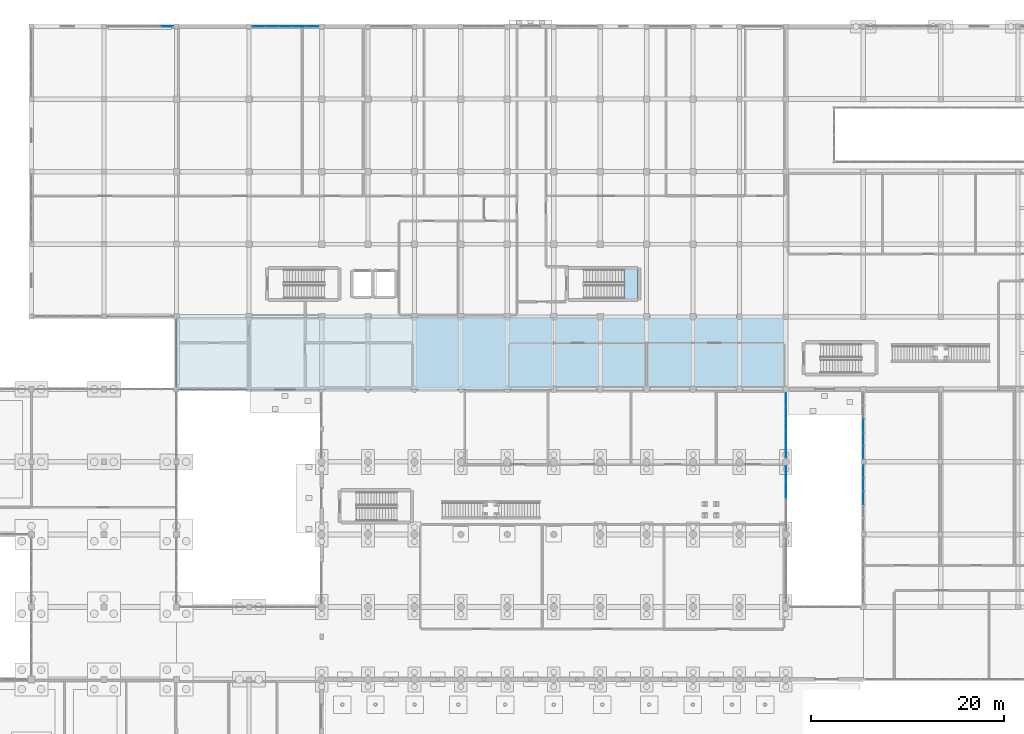
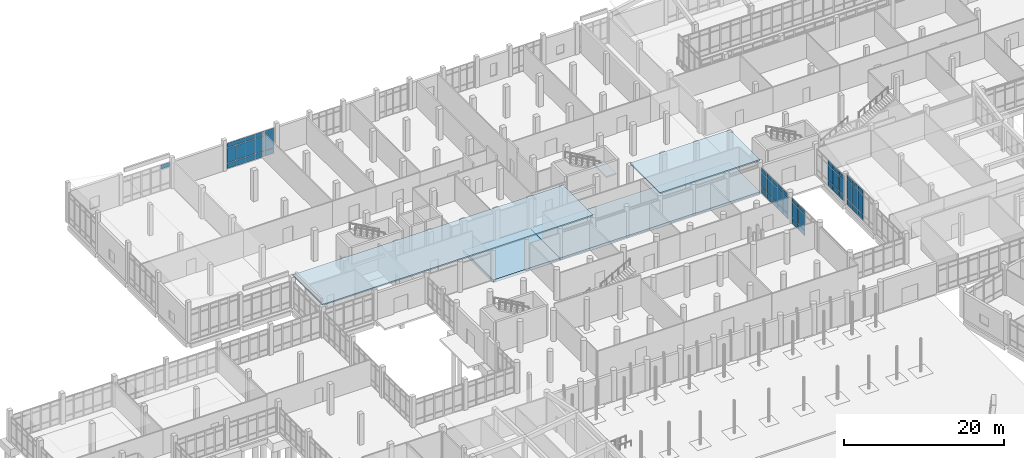
# One storey, part 137 of 173: 55 plates, 5 slabs, 7 elements without a shape of their own.
"""IFC4 building model written with IfcOpenShell, lengths in metres."""

from ifc_helpers import new_model, si_unit, direction, frame, origin, origin_2d, place, context, subcontext, project, spatial, polyline, rectangle, outline, extrude, material, layer, layer_set, type_object, element, aggregate, save


model = new_model("IFC4")

# Units and contexts
model_context = context("Model", 3, precision=1e-05, world=origin(), true_north=direction((0.0, 1.0)))
body_context = subcontext(model_context, "Body", "Model", "MODEL_VIEW")
ifc_project = project(units=[si_unit("LENGTHUNIT", "METRE"), si_unit("AREAUNIT", "SQUARE_METRE"), si_unit("VOLUMEUNIT", "CUBIC_METRE"), si_unit("PLANEANGLEUNIT", "RADIAN"), si_unit("MASSUNIT", "GRAM", prefix="KILO")], contexts=[model_context])

# Site, building, storey
site_placement = place(None, origin())
site = spatial("IfcSite", under=ifc_project, at=site_placement, CompositionType="ELEMENT")
building_placement = place(site_placement, origin())
building = spatial("IfcBuilding", under=site, at=building_placement, Name="Mawjan Specialist Oncology Clinic", CompositionType="ELEMENT")
storey_placement = place(building_placement, origin())
storey = spatial("IfcBuildingStorey", under=building, at=storey_placement, Name="L00", CompositionType="ELEMENT", Elevation=0.0)

# Curtain wall, plate
ifc_material_1 = material(Name="Unitised spectrally selective aluminium curtain wall", Category="aluminium")
ifc_layer_1 = layer(ifc_material_1, 0.179931640625, Name="Unitised spectrally selective aluminium curtain wall", Category="aluminium")
ifc_layer_set_1 = layer_set([ifc_layer_1], Name="Unitised spectrally selective aluminium curtain wall")
curtain_wall_type_1 = type_object("IfcCurtainWallType", Name="CW-12", PredefinedType="NOTDEFINED", material=ifc_layer_set_1)
curtain_wall_1_placement = place(storey_placement, origin())
curtain_wall_1 = element("IfcCurtainWall", 1, at=curtain_wall_1_placement, inside=storey, type_object=curtain_wall_type_1, Name="L00 Unitised Curtain Wall CW-L00-020", PredefinedType="NOTDEFINED")
ifc_material_2 = material(Name="Spectrally selective double low-E glazing", Category="glass")
ifc_layer_2 = layer(ifc_material_2, 0.035888671875, Name="Spectrally selective double low-E glazing", Category="glass")
ifc_layer_set_2 = layer_set([ifc_layer_2], Name="Spectrally selective double low-E glazing")
plate_type = type_object("IfcPlateType", Name="CW-P36", PredefinedType="CURTAIN_PANEL", material=ifc_layer_set_2)
plate_1_placement = place(storey_placement, frame((43.995361328125, 113.300048828125, 3.3173828125), z_axis=(0.0, 0.0, 1.0), x_axis=(1.0, 0.0, 0.0)))
plate_1 = element("IfcPlate", 2, at=plate_1_placement, type_object=plate_type, Name="CW-12 panel 5.3", PredefinedType="CURTAIN_PANEL", context=body_context, shape_type="SweptSolid", body=[
    extrude(rectangle(XDim=1.28955078125, YDim=0.035888671875, at=origin_2d()), origin(), (0.0, 0.0, 1.0), 0.652587890625),
])
aggregate(curtain_wall_1, [plate_1])

# Curtain wall, plates
ifc_material_3 = material(Name="Unitised spectrally selective aluminium curtain wall", Category="aluminium")
ifc_layer_3 = layer(ifc_material_3, 0.179931640625, Name="Unitised spectrally selective aluminium curtain wall", Category="aluminium")
ifc_layer_set_3 = layer_set([ifc_layer_3], Name="Unitised spectrally selective aluminium curtain wall")
curtain_wall_type_2 = type_object("IfcCurtainWallType", Name="CW-08", PredefinedType="NOTDEFINED", material=ifc_layer_set_3)
curtain_wall_2_placement = place(storey_placement, origin())
curtain_wall_2 = element("IfcCurtainWall", 3, at=curtain_wall_2_placement, inside=storey, type_object=curtain_wall_type_2, Name="L00 Unitised Curtain Wall CW-L00-021", PredefinedType="NOTDEFINED")
plate_2_placement = place(storey_placement, frame((53.502197265625, 113.300048828125, 0.06494140625), z_axis=(0.0, 0.0, 1.0), x_axis=(1.0, 0.0, 0.0)))
plate_2 = element("IfcPlate", 4, at=plate_2_placement, type_object=plate_type, Name="CW-08 panel 1.1", PredefinedType="CURTAIN_PANEL", context=body_context, shape_type="SweptSolid", body=[
    extrude(rectangle(XDim=1.284423828125, YDim=0.035888671875, at=origin_2d()), origin(), (0.0, 0.0, 1.0), 0.802490234375),
])
plate_3_placement = place(storey_placement, frame((53.502197265625, 113.300048828125, 0.932373046875), z_axis=(0.0, 0.0, 1.0), x_axis=(1.0, 0.0, 0.0)))
plate_3 = element("IfcPlate", 5, at=plate_3_placement, type_object=plate_type, Name="CW-08 panel 1.2", PredefinedType="CURTAIN_PANEL", context=body_context, shape_type="SweptSolid", body=[
    extrude(rectangle(XDim=1.284423828125, YDim=0.035888671875, at=origin_2d()), origin(), (0.0, 0.0, 1.0), 2.27001953125),
])
plate_4_placement = place(storey_placement, frame((53.502197265625, 113.300048828125, 3.267578125), z_axis=(0.0, 0.0, 1.0), x_axis=(1.0, 0.0, 0.0)))
plate_4 = element("IfcPlate", 6, at=plate_4_placement, type_object=plate_type, Name="CW-08 panel 1.3", PredefinedType="CURTAIN_PANEL", context=body_context, shape_type="SweptSolid", body=[
    extrude(rectangle(XDim=1.284423828125, YDim=0.035888671875, at=origin_2d()), origin(), (0.0, 0.0, 1.0), 0.652587890625),
])
plate_5_placement = place(storey_placement, frame((54.867919921875, 113.300048828125, 0.06494140625), z_axis=(0.0, 0.0, 1.0), x_axis=(1.0, 0.0, 0.0)))
plate_5 = element("IfcPlate", 7, at=plate_5_placement, type_object=plate_type, Name="CW-08 panel 2.1", PredefinedType="CURTAIN_PANEL", context=body_context, shape_type="SweptSolid", body=[
    extrude(rectangle(XDim=1.31689453125, YDim=0.035888671875, at=origin_2d()), origin(), (0.0, 0.0, 1.0), 0.802490234375),
])
plate_6_placement = place(storey_placement, frame((54.867919921875, 113.300048828125, 0.932373046875), z_axis=(0.0, 0.0, 1.0), x_axis=(1.0, 0.0, 0.0)))
plate_6 = element("IfcPlate", 8, at=plate_6_placement, type_object=plate_type, Name="CW-08 panel 2.2", PredefinedType="CURTAIN_PANEL", context=body_context, shape_type="SweptSolid", body=[
    extrude(rectangle(XDim=1.31689453125, YDim=0.035888671875, at=origin_2d()), origin(), (0.0, 0.0, 1.0), 2.27001953125),
])
plate_7_placement = place(storey_placement, frame((54.867919921875, 113.300048828125, 3.267578125), z_axis=(0.0, 0.0, 1.0), x_axis=(1.0, 0.0, 0.0)))
plate_7 = element("IfcPlate", 9, at=plate_7_placement, type_object=plate_type, Name="CW-08 panel 2.3", PredefinedType="CURTAIN_PANEL", context=body_context, shape_type="SweptSolid", body=[
    extrude(rectangle(XDim=1.31689453125, YDim=0.035888671875, at=origin_2d()), origin(), (0.0, 0.0, 1.0), 0.652587890625),
])
plate_8_placement = place(storey_placement, frame((56.25, 113.300048828125, 0.06494140625), z_axis=(0.0, 0.0, 1.0), x_axis=(1.0, 0.0, 0.0)))
plate_8 = element("IfcPlate", 10, at=plate_8_placement, type_object=plate_type, Name="CW-08 panel 3.1", PredefinedType="CURTAIN_PANEL", context=body_context, shape_type="SweptSolid", body=[
    extrude(rectangle(XDim=1.31689453125, YDim=0.035888671875, at=origin_2d()), origin(), (0.0, 0.0, 1.0), 0.802490234375),
])
plate_9_placement = place(storey_placement, frame((56.25, 113.300048828125, 0.932373046875), z_axis=(0.0, 0.0, 1.0), x_axis=(1.0, 0.0, 0.0)))
plate_9 = element("IfcPlate", 11, at=plate_9_placement, type_object=plate_type, Name="CW-08 panel 3.2", PredefinedType="CURTAIN_PANEL", context=body_context, shape_type="SweptSolid", body=[
    extrude(rectangle(XDim=1.31689453125, YDim=0.035888671875, at=origin_2d()), origin(), (0.0, 0.0, 1.0), 2.27001953125),
])
plate_10_placement = place(storey_placement, frame((56.25, 113.300048828125, 3.267578125), z_axis=(0.0, 0.0, 1.0), x_axis=(1.0, 0.0, 0.0)))
plate_10 = element("IfcPlate", 12, at=plate_10_placement, type_object=plate_type, Name="CW-08 panel 3.3", PredefinedType="CURTAIN_PANEL", context=body_context, shape_type="SweptSolid", body=[
    extrude(rectangle(XDim=1.31689453125, YDim=0.035888671875, at=origin_2d()), origin(), (0.0, 0.0, 1.0), 0.652587890625),
])
plate_11_placement = place(storey_placement, frame((57.632080078125, 113.300048828125, 0.06494140625), z_axis=(0.0, 0.0, 1.0), x_axis=(1.0, 0.0, 0.0)))
plate_11 = element("IfcPlate", 13, at=plate_11_placement, type_object=plate_type, Name="CW-08 panel 4.1", PredefinedType="CURTAIN_PANEL", context=body_context, shape_type="SweptSolid", body=[
    extrude(rectangle(XDim=1.31689453125, YDim=0.035888671875, at=origin_2d()), origin(), (0.0, 0.0, 1.0), 0.802490234375),
])
plate_12_placement = place(storey_placement, frame((57.632080078125, 113.300048828125, 0.932373046875), z_axis=(0.0, 0.0, 1.0), x_axis=(1.0, 0.0, 0.0)))
plate_12 = element("IfcPlate", 14, at=plate_12_placement, type_object=plate_type, Name="CW-08 panel 4.2", PredefinedType="CURTAIN_PANEL", context=body_context, shape_type="SweptSolid", body=[
    extrude(rectangle(XDim=1.31689453125, YDim=0.035888671875, at=origin_2d()), origin(), (0.0, 0.0, 1.0), 2.27001953125),
])
plate_13_placement = place(storey_placement, frame((57.632080078125, 113.300048828125, 3.267578125), z_axis=(0.0, 0.0, 1.0), x_axis=(1.0, 0.0, 0.0)))
plate_13 = element("IfcPlate", 15, at=plate_13_placement, type_object=plate_type, Name="CW-08 panel 4.3", PredefinedType="CURTAIN_PANEL", context=body_context, shape_type="SweptSolid", body=[
    extrude(rectangle(XDim=1.31689453125, YDim=0.035888671875, at=origin_2d()), origin(), (0.0, 0.0, 1.0), 0.652587890625),
])
plate_14_placement = place(storey_placement, frame((58.997802734375, 113.300048828125, 0.06494140625), z_axis=(0.0, 0.0, 1.0), x_axis=(1.0, 0.0, 0.0)))
plate_14 = element("IfcPlate", 16, at=plate_14_placement, type_object=plate_type, Name="CW-08 panel 5.1", PredefinedType="CURTAIN_PANEL", context=body_context, shape_type="SweptSolid", body=[
    extrude(rectangle(XDim=1.284423828125, YDim=0.035888671875, at=origin_2d()), origin(), (0.0, 0.0, 1.0), 0.802490234375),
])
plate_15_placement = place(storey_placement, frame((58.997802734375, 113.300048828125, 0.932373046875), z_axis=(0.0, 0.0, 1.0), x_axis=(1.0, 0.0, 0.0)))
plate_15 = element("IfcPlate", 17, at=plate_15_placement, type_object=plate_type, Name="CW-08 panel 5.2", PredefinedType="CURTAIN_PANEL", context=body_context, shape_type="SweptSolid", body=[
    extrude(rectangle(XDim=1.284423828125, YDim=0.035888671875, at=origin_2d()), origin(), (0.0, 0.0, 1.0), 2.27001953125),
])
plate_16_placement = place(storey_placement, frame((58.997802734375, 113.300048828125, 3.267578125), z_axis=(0.0, 0.0, 1.0), x_axis=(1.0, 0.0, 0.0)))
plate_16 = element("IfcPlate", 18, at=plate_16_placement, type_object=plate_type, Name="CW-08 panel 5.3", PredefinedType="CURTAIN_PANEL", context=body_context, shape_type="SweptSolid", body=[
    extrude(rectangle(XDim=1.284423828125, YDim=0.035888671875, at=origin_2d()), origin(), (0.0, 0.0, 1.0), 0.652587890625),
])
aggregate(curtain_wall_2, [plate_2, plate_3, plate_4, plate_5, plate_6, plate_7, plate_8, plate_9, plate_10, plate_11, plate_12, plate_13, plate_14, plate_15, plate_16])

ifc_material_4 = material(Name="Unitised spectrally selective aluminium curtain wall", Category="aluminium")
ifc_layer_4 = layer(ifc_material_4, 0.179931640625, Name="Unitised spectrally selective aluminium curtain wall", Category="aluminium")
ifc_layer_set_4 = layer_set([ifc_layer_4], Name="Unitised spectrally selective aluminium curtain wall")
curtain_wall_type_3 = type_object("IfcCurtainWallType", Name="CW-11", PredefinedType="NOTDEFINED", material=ifc_layer_set_4)
curtain_wall_3_placement = place(storey_placement, origin())
curtain_wall_3 = element("IfcCurtainWall", 19, at=curtain_wall_3_placement, inside=storey, type_object=curtain_wall_type_3, Name="L00 Unitised Curtain Wall CW-L00-065", PredefinedType="NOTDEFINED")
plate_17_placement = place(storey_placement, frame((116.0, 64.550048828125, 0.070068359375), z_axis=(0.0, 0.0, 1.0), x_axis=(0.0, 1.0, 0.0)))
plate_17 = element("IfcPlate", 20, at=plate_17_placement, type_object=plate_type, Name="CW-11 panel 3.1", PredefinedType="CURTAIN_PANEL", context=body_context, shape_type="SweptSolid", body=[
    extrude(rectangle(XDim=1.322021484375, YDim=0.035888671875, at=origin_2d()), origin(), (0.0, 0.0, 1.0), 0.794921875),
])
plate_18_placement = place(storey_placement, frame((116.0, 64.550048828125, 0.93505859375), z_axis=(0.0, 0.0, 1.0), x_axis=(0.0, 1.0, 0.0)))
plate_18 = element("IfcPlate", 21, at=plate_18_placement, type_object=plate_type, Name="CW-11 panel 3.2", PredefinedType="CURTAIN_PANEL", context=body_context, shape_type="SweptSolid", body=[
    extrude(rectangle(XDim=1.322021484375, YDim=0.035888671875, at=origin_2d()), origin(), (0.0, 0.0, 1.0), 2.949951171875),
])
plate_19_placement = place(storey_placement, frame((116.0, 64.550048828125, 3.955078125), z_axis=(0.0, 0.0, 1.0), x_axis=(0.0, 1.0, 0.0)))
plate_19 = element("IfcPlate", 22, at=plate_19_placement, type_object=plate_type, Name="CW-11 panel 3.3", PredefinedType="CURTAIN_PANEL", context=body_context, shape_type="SweptSolid", body=[
    extrude(rectangle(XDim=1.322021484375, YDim=0.035888671875, at=origin_2d()), origin(), (0.0, 0.0, 1.0), 0.64501953125),
])
plate_20_placement = place(storey_placement, frame((116.0, 65.94189453125, 0.070068359375), z_axis=(0.0, 0.0, 1.0), x_axis=(0.0, 1.0, 0.0)))
plate_20 = element("IfcPlate", 23, at=plate_20_placement, type_object=plate_type, Name="CW-11 panel 4.1", PredefinedType="CURTAIN_PANEL", context=body_context, shape_type="SweptSolid", body=[
    extrude(rectangle(XDim=1.322021484375, YDim=0.035888671875, at=origin_2d()), origin(), (0.0, 0.0, 1.0), 0.794921875),
])
plate_21_placement = place(storey_placement, frame((116.0, 65.94189453125, 0.93505859375), z_axis=(0.0, 0.0, 1.0), x_axis=(0.0, 1.0, 0.0)))
plate_21 = element("IfcPlate", 24, at=plate_21_placement, type_object=plate_type, Name="CW-11 panel 4.2", PredefinedType="CURTAIN_PANEL", context=body_context, shape_type="SweptSolid", body=[
    extrude(rectangle(XDim=1.322021484375, YDim=0.035888671875, at=origin_2d()), origin(), (0.0, 0.0, 1.0), 2.949951171875),
])
plate_22_placement = place(storey_placement, frame((116.0, 65.94189453125, 3.955078125), z_axis=(0.0, 0.0, 1.0), x_axis=(0.0, 1.0, 0.0)))
plate_22 = element("IfcPlate", 25, at=plate_22_placement, type_object=plate_type, Name="CW-11 panel 4.3", PredefinedType="CURTAIN_PANEL", context=body_context, shape_type="SweptSolid", body=[
    extrude(rectangle(XDim=1.322021484375, YDim=0.035888671875, at=origin_2d()), origin(), (0.0, 0.0, 1.0), 0.64501953125),
])
plate_23_placement = place(storey_placement, frame((116.0, 67.31640625, 0.070068359375), z_axis=(0.0, 0.0, 1.0), x_axis=(0.0, 1.0, 0.0)))
plate_23 = element("IfcPlate", 26, at=plate_23_placement, type_object=plate_type, Name="CW-11 panel 5.1", PredefinedType="CURTAIN_PANEL", context=body_context, shape_type="SweptSolid", body=[
    extrude(rectangle(XDim=1.287109375, YDim=0.035888671875, at=origin_2d()), origin(), (0.0, 0.0, 1.0), 0.794921875),
])
plate_24_placement = place(storey_placement, frame((116.0, 67.31640625, 0.93505859375), z_axis=(0.0, 0.0, 1.0), x_axis=(0.0, 1.0, 0.0)))
plate_24 = element("IfcPlate", 27, at=plate_24_placement, type_object=plate_type, Name="CW-11 panel 5.2", PredefinedType="CURTAIN_PANEL", context=body_context, shape_type="SweptSolid", body=[
    extrude(rectangle(XDim=1.287109375, YDim=0.035888671875, at=origin_2d()), origin(), (0.0, 0.0, 1.0), 2.949951171875),
])
plate_25_placement = place(storey_placement, frame((116.0, 67.31640625, 3.955078125), z_axis=(0.0, 0.0, 1.0), x_axis=(0.0, 1.0, 0.0)))
plate_25 = element("IfcPlate", 28, at=plate_25_placement, type_object=plate_type, Name="CW-11 panel 5.3", PredefinedType="CURTAIN_PANEL", context=body_context, shape_type="SweptSolid", body=[
    extrude(rectangle(XDim=1.287109375, YDim=0.035888671875, at=origin_2d()), origin(), (0.0, 0.0, 1.0), 0.64501953125),
])
aggregate(curtain_wall_3, [plate_17, plate_18, plate_19, plate_20, plate_21, plate_22, plate_23, plate_24, plate_25])

ifc_material_5 = material(Name="Unitised spectrally selective aluminium curtain wall", Category="aluminium")
ifc_layer_5 = layer(ifc_material_5, 0.179931640625, Name="Unitised spectrally selective aluminium curtain wall", Category="aluminium")
ifc_layer_set_5 = layer_set([ifc_layer_5], Name="Unitised spectrally selective aluminium curtain wall")
curtain_wall_type_4 = type_object("IfcCurtainWallType", Name="CW-30", PredefinedType="NOTDEFINED", material=ifc_layer_set_5)
curtain_wall_4_placement = place(storey_placement, origin())
curtain_wall_4 = element("IfcCurtainWall", 29, at=curtain_wall_4_placement, inside=storey, type_object=curtain_wall_type_4, Name="L00 Unitised Curtain Wall CW-L00-066", PredefinedType="NOTDEFINED")
plate_26_placement = place(storey_placement, frame((116.0, 69.27978515625, 0.06494140625), z_axis=(0.0, 0.0, 1.0), x_axis=(0.0, 1.0, 0.0)))
plate_26 = element("IfcPlate", 30, at=plate_26_placement, type_object=plate_type, Name="CW-30 panel 1.1", PredefinedType="CURTAIN_PANEL", context=body_context, shape_type="SweptSolid", body=[
    extrude(rectangle(XDim=1.28955078125, YDim=0.035888671875, at=origin_2d()), origin(), (0.0, 0.0, 1.0), 0.802490234375),
])
plate_27_placement = place(storey_placement, frame((116.0, 69.27978515625, 0.932373046875), z_axis=(0.0, 0.0, 1.0), x_axis=(0.0, 1.0, 0.0)))
plate_27 = element("IfcPlate", 31, at=plate_27_placement, type_object=plate_type, Name="CW-30 panel 1.2", PredefinedType="CURTAIN_PANEL", context=body_context, shape_type="SweptSolid", body=[
    extrude(rectangle(XDim=1.28955078125, YDim=0.035888671875, at=origin_2d()), origin(), (0.0, 0.0, 1.0), 2.27001953125),
])
plate_28_placement = place(storey_placement, frame((116.0, 69.27978515625, 3.267578125), z_axis=(0.0, 0.0, 1.0), x_axis=(0.0, 1.0, 0.0)))
plate_28 = element("IfcPlate", 32, at=plate_28_placement, type_object=plate_type, Name="CW-30 panel 1.3", PredefinedType="CURTAIN_PANEL", context=body_context, shape_type="SweptSolid", body=[
    extrude(rectangle(XDim=1.28955078125, YDim=0.035888671875, at=origin_2d()), origin(), (0.0, 0.0, 1.0), 0.652587890625),
])
plate_29_placement = place(storey_placement, frame((116.0, 70.650390625, 0.06494140625), z_axis=(0.0, 0.0, 1.0), x_axis=(0.0, 1.0, 0.0)))
plate_29 = element("IfcPlate", 33, at=plate_29_placement, type_object=plate_type, Name="CW-30 panel 2.1", PredefinedType="CURTAIN_PANEL", context=body_context, shape_type="SweptSolid", body=[
    extrude(rectangle(XDim=1.322021484375, YDim=0.035888671875, at=origin_2d()), origin(), (0.0, 0.0, 1.0), 0.802490234375),
])
plate_30_placement = place(storey_placement, frame((116.0, 70.650390625, 0.932373046875), z_axis=(0.0, 0.0, 1.0), x_axis=(0.0, 1.0, 0.0)))
plate_30 = element("IfcPlate", 34, at=plate_30_placement, type_object=plate_type, Name="CW-30 panel 2.2", PredefinedType="CURTAIN_PANEL", context=body_context, shape_type="SweptSolid", body=[
    extrude(rectangle(XDim=1.322021484375, YDim=0.035888671875, at=origin_2d()), origin(), (0.0, 0.0, 1.0), 2.27001953125),
])
plate_31_placement = place(storey_placement, frame((116.0, 70.650390625, 3.267578125), z_axis=(0.0, 0.0, 1.0), x_axis=(0.0, 1.0, 0.0)))
plate_31 = element("IfcPlate", 35, at=plate_31_placement, type_object=plate_type, Name="CW-30 panel 2.3", PredefinedType="CURTAIN_PANEL", context=body_context, shape_type="SweptSolid", body=[
    extrude(rectangle(XDim=1.322021484375, YDim=0.035888671875, at=origin_2d()), origin(), (0.0, 0.0, 1.0), 0.652587890625),
])
plate_32_placement = place(storey_placement, frame((116.0, 72.03759765625, 0.06494140625), z_axis=(0.0, 0.0, 1.0), x_axis=(0.0, 1.0, 0.0)))
plate_32 = element("IfcPlate", 36, at=plate_32_placement, type_object=plate_type, Name="CW-30 panel 3.1", PredefinedType="CURTAIN_PANEL", context=body_context, shape_type="SweptSolid", body=[
    extrude(rectangle(XDim=1.322021484375, YDim=0.035888671875, at=origin_2d()), origin(), (0.0, 0.0, 1.0), 0.802490234375),
])
plate_33_placement = place(storey_placement, frame((116.0, 72.03759765625, 0.932373046875), z_axis=(0.0, 0.0, 1.0), x_axis=(0.0, 1.0, 0.0)))
plate_33 = element("IfcPlate", 37, at=plate_33_placement, type_object=plate_type, Name="CW-30 panel 3.2", PredefinedType="CURTAIN_PANEL", context=body_context, shape_type="SweptSolid", body=[
    extrude(rectangle(XDim=1.322021484375, YDim=0.035888671875, at=origin_2d()), origin(), (0.0, 0.0, 1.0), 2.27001953125),
])
plate_34_placement = place(storey_placement, frame((116.0, 72.03759765625, 3.267578125), z_axis=(0.0, 0.0, 1.0), x_axis=(0.0, 1.0, 0.0)))
plate_34 = element("IfcPlate", 38, at=plate_34_placement, type_object=plate_type, Name="CW-30 panel 3.3", PredefinedType="CURTAIN_PANEL", context=body_context, shape_type="SweptSolid", body=[
    extrude(rectangle(XDim=1.322021484375, YDim=0.035888671875, at=origin_2d()), origin(), (0.0, 0.0, 1.0), 0.652587890625),
])
aggregate(curtain_wall_4, [plate_26, plate_27, plate_28, plate_29, plate_30, plate_31, plate_32, plate_33, plate_34])

ifc_material_6 = material(Name="Unitised spectrally selective aluminium curtain wall", Category="aluminium")
ifc_layer_6 = layer(ifc_material_6, 0.179931640625, Name="Unitised spectrally selective aluminium curtain wall", Category="aluminium")
ifc_layer_set_6 = layer_set([ifc_layer_6], Name="Unitised spectrally selective aluminium curtain wall")
curtain_wall_type_5 = type_object("IfcCurtainWallType", Name="CW-28", PredefinedType="NOTDEFINED", material=ifc_layer_set_6)
curtain_wall_5_placement = place(storey_placement, origin())
curtain_wall_5 = element("IfcCurtainWall", 39, at=curtain_wall_5_placement, inside=storey, type_object=curtain_wall_type_5, Name="L00 Unitised Curtain Wall CW-L00-067", PredefinedType="NOTDEFINED")
plate_35_placement = place(storey_placement, frame((108.0, 74.7626953125, 0.06494140625), z_axis=(0.0, 0.0, 1.0), x_axis=(0.0, -1.0, 0.0)))
plate_35 = element("IfcPlate", 40, at=plate_35_placement, type_object=plate_type, Name="CW-28 panel 1.1", PredefinedType="CURTAIN_PANEL", context=body_context, shape_type="SweptSolid", body=[
    extrude(rectangle(XDim=1.25439453125, YDim=0.035888671875, at=origin_2d()), origin(), (0.0, 0.0, 1.0), 0.802490234375),
])
plate_36_placement = place(storey_placement, frame((108.0, 74.7626953125, 0.932373046875), z_axis=(0.0, 0.0, 1.0), x_axis=(0.0, -1.0, 0.0)))
plate_36 = element("IfcPlate", 41, at=plate_36_placement, type_object=plate_type, Name="CW-28 panel 1.2", PredefinedType="CURTAIN_PANEL", context=body_context, shape_type="SweptSolid", body=[
    extrude(rectangle(XDim=1.25439453125, YDim=0.035888671875, at=origin_2d()), origin(), (0.0, 0.0, 1.0), 2.27001953125),
])
plate_37_placement = place(storey_placement, frame((108.0, 74.7626953125, 3.267578125), z_axis=(0.0, 0.0, 1.0), x_axis=(0.0, -1.0, 0.0)))
plate_37 = element("IfcPlate", 42, at=plate_37_placement, type_object=plate_type, Name="CW-28 panel 1.3", PredefinedType="CURTAIN_PANEL", context=body_context, shape_type="SweptSolid", body=[
    extrude(rectangle(XDim=1.25439453125, YDim=0.035888671875, at=origin_2d()), origin(), (0.0, 0.0, 1.0), 0.652587890625),
])
plate_38_placement = place(storey_placement, frame((108.0, 73.427001953125, 0.06494140625), z_axis=(0.0, 0.0, 1.0), x_axis=(0.0, -1.0, 0.0)))
plate_38 = element("IfcPlate", 43, at=plate_38_placement, type_object=plate_type, Name="CW-28 panel 2.1", PredefinedType="CURTAIN_PANEL", context=body_context, shape_type="SweptSolid", body=[
    extrude(rectangle(XDim=1.287109375, YDim=0.035888671875, at=origin_2d()), origin(), (0.0, 0.0, 1.0), 0.802490234375),
])
plate_39_placement = place(storey_placement, frame((108.0, 73.427001953125, 0.932373046875), z_axis=(0.0, 0.0, 1.0), x_axis=(0.0, -1.0, 0.0)))
plate_39 = element("IfcPlate", 44, at=plate_39_placement, type_object=plate_type, Name="CW-28 panel 2.2", PredefinedType="CURTAIN_PANEL", context=body_context, shape_type="SweptSolid", body=[
    extrude(rectangle(XDim=1.287109375, YDim=0.035888671875, at=origin_2d()), origin(), (0.0, 0.0, 1.0), 2.27001953125),
])
plate_40_placement = place(storey_placement, frame((108.0, 73.427001953125, 3.267578125), z_axis=(0.0, 0.0, 1.0), x_axis=(0.0, -1.0, 0.0)))
plate_40 = element("IfcPlate", 45, at=plate_40_placement, type_object=plate_type, Name="CW-28 panel 2.3", PredefinedType="CURTAIN_PANEL", context=body_context, shape_type="SweptSolid", body=[
    extrude(rectangle(XDim=1.287109375, YDim=0.035888671875, at=origin_2d()), origin(), (0.0, 0.0, 1.0), 0.652587890625),
])
plate_41_placement = place(storey_placement, frame((108.0, 72.074951171875, 0.06494140625), z_axis=(0.0, 0.0, 1.0), x_axis=(0.0, -1.0, 0.0)))
plate_41 = element("IfcPlate", 46, at=plate_41_placement, type_object=plate_type, Name="CW-28 panel 3.1", PredefinedType="CURTAIN_PANEL", context=body_context, shape_type="SweptSolid", body=[
    extrude(rectangle(XDim=1.287109375, YDim=0.035888671875, at=origin_2d()), origin(), (0.0, 0.0, 1.0), 0.802490234375),
])
plate_42_placement = place(storey_placement, frame((108.0, 72.074951171875, 0.932373046875), z_axis=(0.0, 0.0, 1.0), x_axis=(0.0, -1.0, 0.0)))
plate_42 = element("IfcPlate", 47, at=plate_42_placement, type_object=plate_type, Name="CW-28 panel 3.2", PredefinedType="CURTAIN_PANEL", context=body_context, shape_type="SweptSolid", body=[
    extrude(rectangle(XDim=1.287109375, YDim=0.035888671875, at=origin_2d()), origin(), (0.0, 0.0, 1.0), 2.27001953125),
])
plate_43_placement = place(storey_placement, frame((108.0, 72.074951171875, 3.267578125), z_axis=(0.0, 0.0, 1.0), x_axis=(0.0, -1.0, 0.0)))
plate_43 = element("IfcPlate", 48, at=plate_43_placement, type_object=plate_type, Name="CW-28 panel 3.3", PredefinedType="CURTAIN_PANEL", context=body_context, shape_type="SweptSolid", body=[
    extrude(rectangle(XDim=1.287109375, YDim=0.035888671875, at=origin_2d()), origin(), (0.0, 0.0, 1.0), 0.652587890625),
])
plate_44_placement = place(storey_placement, frame((108.0, 70.722900390625, 0.06494140625), z_axis=(0.0, 0.0, 1.0), x_axis=(0.0, -1.0, 0.0)))
plate_44 = element("IfcPlate", 49, at=plate_44_placement, type_object=plate_type, Name="CW-28 panel 4.1", PredefinedType="CURTAIN_PANEL", context=body_context, shape_type="SweptSolid", body=[
    extrude(rectangle(XDim=1.287109375, YDim=0.035888671875, at=origin_2d()), origin(), (0.0, 0.0, 1.0), 0.802490234375),
])
plate_45_placement = place(storey_placement, frame((108.0, 70.722900390625, 0.932373046875), z_axis=(0.0, 0.0, 1.0), x_axis=(0.0, -1.0, 0.0)))
plate_45 = element("IfcPlate", 50, at=plate_45_placement, type_object=plate_type, Name="CW-28 panel 4.2", PredefinedType="CURTAIN_PANEL", context=body_context, shape_type="SweptSolid", body=[
    extrude(rectangle(XDim=1.287109375, YDim=0.035888671875, at=origin_2d()), origin(), (0.0, 0.0, 1.0), 2.27001953125),
])
plate_46_placement = place(storey_placement, frame((108.0, 70.722900390625, 3.267578125), z_axis=(0.0, 0.0, 1.0), x_axis=(0.0, -1.0, 0.0)))
plate_46 = element("IfcPlate", 51, at=plate_46_placement, type_object=plate_type, Name="CW-28 panel 4.3", PredefinedType="CURTAIN_PANEL", context=body_context, shape_type="SweptSolid", body=[
    extrude(rectangle(XDim=1.287109375, YDim=0.035888671875, at=origin_2d()), origin(), (0.0, 0.0, 1.0), 0.652587890625),
])
plate_47_placement = place(storey_placement, frame((108.0, 69.38720703125, 0.06494140625), z_axis=(0.0, 0.0, 1.0), x_axis=(0.0, -1.0, 0.0)))
plate_47 = element("IfcPlate", 52, at=plate_47_placement, type_object=plate_type, Name="CW-28 panel 5.1", PredefinedType="CURTAIN_PANEL", context=body_context, shape_type="SweptSolid", body=[
    extrude(rectangle(XDim=1.25439453125, YDim=0.035888671875, at=origin_2d()), origin(), (0.0, 0.0, 1.0), 0.802490234375),
])
plate_48_placement = place(storey_placement, frame((108.0, 69.38720703125, 0.932373046875), z_axis=(0.0, 0.0, 1.0), x_axis=(0.0, -1.0, 0.0)))
plate_48 = element("IfcPlate", 53, at=plate_48_placement, type_object=plate_type, Name="CW-28 panel 5.2", PredefinedType="CURTAIN_PANEL", context=body_context, shape_type="SweptSolid", body=[
    extrude(rectangle(XDim=1.25439453125, YDim=0.035888671875, at=origin_2d()), origin(), (0.0, 0.0, 1.0), 2.27001953125),
])
plate_49_placement = place(storey_placement, frame((108.0, 69.38720703125, 3.267578125), z_axis=(0.0, 0.0, 1.0), x_axis=(0.0, -1.0, 0.0)))
plate_49 = element("IfcPlate", 54, at=plate_49_placement, type_object=plate_type, Name="CW-28 panel 5.3", PredefinedType="CURTAIN_PANEL", context=body_context, shape_type="SweptSolid", body=[
    extrude(rectangle(XDim=1.25439453125, YDim=0.035888671875, at=origin_2d()), origin(), (0.0, 0.0, 1.0), 0.652587890625),
])
aggregate(curtain_wall_5, [plate_35, plate_36, plate_37, plate_38, plate_39, plate_40, plate_41, plate_42, plate_43, plate_44, plate_45, plate_46, plate_47, plate_48, plate_49])

ifc_material_7 = material(Name="Unitised spectrally selective aluminium curtain wall", Category="aluminium")
ifc_layer_7 = layer(ifc_material_7, 0.179931640625, Name="Unitised spectrally selective aluminium curtain wall", Category="aluminium")
ifc_layer_set_7 = layer_set([ifc_layer_7], Name="Unitised spectrally selective aluminium curtain wall")
curtain_wall_type_6 = type_object("IfcCurtainWallType", Name="CW-02", PredefinedType="NOTDEFINED", material=ifc_layer_set_7)
curtain_wall_6_placement = place(storey_placement, origin())
curtain_wall_6 = element("IfcCurtainWall", 55, at=curtain_wall_6_placement, inside=storey, type_object=curtain_wall_type_6, Name="L00 Unitised Curtain Wall CW-L00-068", PredefinedType="NOTDEFINED")
plate_50_placement = place(storey_placement, frame((108.0, 67.050048828125, 0.06494140625), z_axis=(0.0, 0.0, 1.0), x_axis=(0.0, -1.0, 0.0)))
plate_50 = element("IfcPlate", 56, at=plate_50_placement, type_object=plate_type, Name="CW-02 panel 1.1", PredefinedType="CURTAIN_PANEL", context=body_context, shape_type="SweptSolid", body=[
    extrude(rectangle(XDim=1.580078125, YDim=0.035888671875, at=origin_2d()), origin(), (0.0, 0.0, 1.0), 0.802490234375),
])
plate_51_placement = place(storey_placement, frame((108.0, 67.050048828125, 0.9326171875), z_axis=(0.0, 0.0, 1.0), x_axis=(0.0, -1.0, 0.0)))
plate_51 = element("IfcPlate", 57, at=plate_51_placement, type_object=plate_type, Name="CW-02 panel 1.2", PredefinedType="CURTAIN_PANEL", context=body_context, shape_type="SweptSolid", body=[
    extrude(rectangle(XDim=1.580078125, YDim=0.035888671875, at=origin_2d()), origin(), (0.0, 0.0, 1.0), 2.320068359375),
])
plate_52_placement = place(storey_placement, frame((108.0, 67.050048828125, 3.3173828125), z_axis=(0.0, 0.0, 1.0), x_axis=(0.0, -1.0, 0.0)))
plate_52 = element("IfcPlate", 58, at=plate_52_placement, type_object=plate_type, Name="CW-02 panel 1.3", PredefinedType="CURTAIN_PANEL", context=body_context, shape_type="SweptSolid", body=[
    extrude(rectangle(XDim=1.580078125, YDim=0.035888671875, at=origin_2d()), origin(), (0.0, 0.0, 1.0), 0.652587890625),
])
plate_53_placement = place(storey_placement, frame((108.0, 65.388671875, 0.06494140625), z_axis=(0.0, 0.0, 1.0), x_axis=(0.0, -1.0, 0.0)))
plate_53 = element("IfcPlate", 59, at=plate_53_placement, type_object=plate_type, Name="CW-02 panel 2.1", PredefinedType="CURTAIN_PANEL", context=body_context, shape_type="SweptSolid", body=[
    extrude(rectangle(XDim=1.612548828125, YDim=0.035888671875, at=origin_2d()), origin(), (0.0, 0.0, 1.0), 0.802490234375),
])
plate_54_placement = place(storey_placement, frame((108.0, 65.388671875, 0.9326171875), z_axis=(0.0, 0.0, 1.0), x_axis=(0.0, -1.0, 0.0)))
plate_54 = element("IfcPlate", 60, at=plate_54_placement, type_object=plate_type, Name="CW-02 panel 2.2", PredefinedType="CURTAIN_PANEL", context=body_context, shape_type="SweptSolid", body=[
    extrude(rectangle(XDim=1.612548828125, YDim=0.035888671875, at=origin_2d()), origin(), (0.0, 0.0, 1.0), 2.320068359375),
])
plate_55_placement = place(storey_placement, frame((108.0, 65.388671875, 3.3173828125), z_axis=(0.0, 0.0, 1.0), x_axis=(0.0, -1.0, 0.0)))
plate_55 = element("IfcPlate", 61, at=plate_55_placement, type_object=plate_type, Name="CW-02 panel 2.3", PredefinedType="CURTAIN_PANEL", context=body_context, shape_type="SweptSolid", body=[
    extrude(rectangle(XDim=1.612548828125, YDim=0.035888671875, at=origin_2d()), origin(), (0.0, 0.0, 1.0), 0.652587890625),
])
aggregate(curtain_wall_6, [plate_50, plate_51, plate_52, plate_53, plate_54, plate_55])

# Slabs
ifc_material_8 = material(Name="Concrete C40/50", Category="concrete")
ifc_layer_8 = layer(ifc_material_8, 0.419921875, Name="Concrete C40/50", Category="concrete")
ifc_layer_set_8 = layer_set([ifc_layer_8], Name="Concrete C40/50")
slab_type_1 = type_object("IfcSlabType", Name="FS-420F", PredefinedType="FLOOR", material=ifc_layer_set_8)
slab_1_placement = place(storey_placement, frame((0.0, 0.0, -0.419921875)))
element("IfcSlab", 62, at=slab_1_placement, inside=storey, type_object=slab_type_1, Name="L00 Day Procedure and Pharmacy Wing Slab SLB-V5C-L00", PredefinedType="FLOOR", context=body_context, shape_type="SweptSolid", body=[
    extrude(outline(polyline([(69.60009765625, 75.800048828125), (79.199951171875, 75.800048828125), (79.199951171875, 83.300048828125), (69.60009765625, 83.300048828125), (69.60009765625, 75.800048828125)])), origin(), (0.0, 0.0, 1.0), 0.419921875),
])
slab_2_placement = place(storey_placement, frame((0.0, 0.0, -0.419921875)))
element("IfcSlab", 63, at=slab_2_placement, inside=storey, type_object=slab_type_1, Name="L00 Day Procedure and Pharmacy Wing Slab SLB-V5E-L00", PredefinedType="FLOOR", context=body_context, shape_type="SweptSolid", body=[
    extrude(outline(polyline([(79.199951171875, 75.800048828125), (108.0, 75.800048828125), (108.0, 83.300048828125), (79.199951171875, 83.300048828125), (79.199951171875, 75.800048828125)])), origin(), (0.0, 0.0, 1.0), 0.419921875),
])

# Stair, slab
ifc_material_9 = material(Name="Concrete C35/45", Category="concrete")
stair_type = type_object("IfcStairType", Name="STR-CORE50", PredefinedType="HALF_TURN_STAIR", material=ifc_material_9)
stair_placement = place(storey_placement, origin())
stair = element("IfcStair", 64, at=stair_placement, inside=storey, type_object=stair_type, Name="L00 Exit Stair ST-04", PredefinedType="HALF_TURN_STAIR")
ifc_material_10 = material(Name="Concrete C35/45", Category="concrete")
ifc_layer_9 = layer(ifc_material_10, 0.199951171875, Name="Concrete C35/45", Category="concrete")
ifc_layer_set_9 = layer_set([ifc_layer_9], Name="Concrete C35/45")
slab_type_2 = type_object("IfcSlabType", Name="LND-200", PredefinedType="LANDING", material=ifc_layer_set_9)
slab_3_placement = place(storey_placement, frame((0.0, 0.0, 2.300048828125)))
slab_3 = element("IfcSlab", 65, at=slab_3_placement, type_object=slab_type_2, Name="ST-04 landing 1", PredefinedType="LANDING", context=body_context, shape_type="SweptSolid", body=[
    extrude(outline(polyline([(91.274658203125, 85.1455078125), (92.725341796875, 85.1455078125), (92.725341796875, 88.25439453125), (91.274658203125, 88.25439453125), (91.274658203125, 85.1455078125)])), origin(), (0.0, 0.0, 1.0), 0.199951171875),
])
aggregate(stair, [slab_3])

# Slabs
ifc_material_11 = material(Name="Concrete C35/45", Category="concrete")
ifc_layer_10 = layer(ifc_material_11, 0.199951171875, Name="Concrete C35/45", Category="concrete")
ifc_layer_set_10 = layer_set([ifc_layer_10], Name="Concrete C35/45")
slab_type_3 = type_object("IfcSlabType", Name="RF-OVR200", PredefinedType="ROOF", material=ifc_layer_set_10)
slab_4_placement = place(storey_placement, frame((0.0, 0.0, 4.699951171875)))
element("IfcSlab", 66, at=slab_4_placement, inside=storey, type_object=slab_type_3, Name="Courtyard Link Concourse West Roof Deck", PredefinedType="ROOF", context=body_context, shape_type="SweptSolid", body=[
    extrude(outline(polyline([(45.02001953125, 75.800048828125), (83.97998046875, 75.800048828125), (83.97998046875, 83.280029296875), (45.02001953125, 83.280029296875), (45.02001953125, 75.800048828125)])), origin(), (0.0, 0.0, 1.0), 0.199951171875),
])
slab_5_placement = place(storey_placement, frame((0.0, 0.0, 4.699951171875)))
element("IfcSlab", 67, at=slab_5_placement, inside=storey, type_object=slab_type_3, Name="Courtyard Link Concourse East Roof Deck", PredefinedType="ROOF", context=body_context, shape_type="SweptSolid", body=[
    extrude(outline(polyline([(93.6201171875, 75.800048828125), (107.97998046875, 75.800048828125), (107.97998046875, 83.280029296875), (93.6201171875, 83.280029296875), (93.6201171875, 75.800048828125)])), origin(), (0.0, 0.0, 1.0), 0.199951171875),
])

save(model, "model.ifc")
